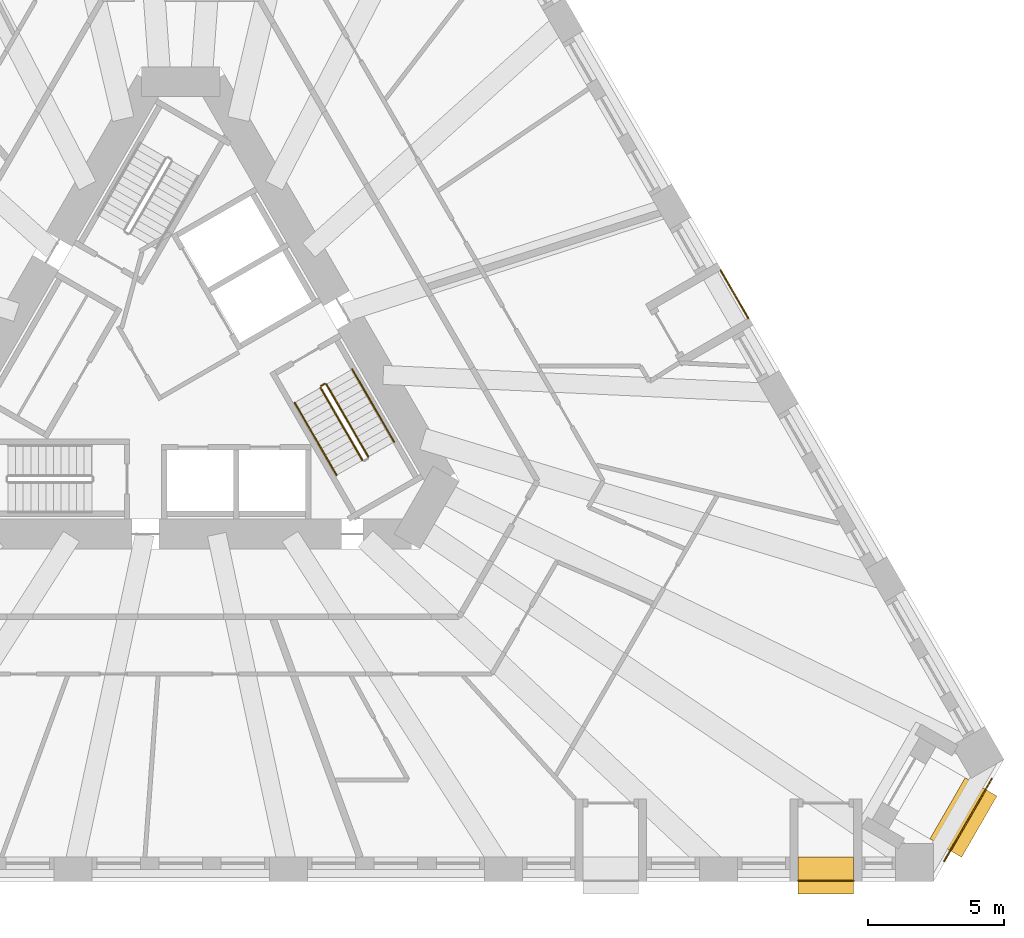
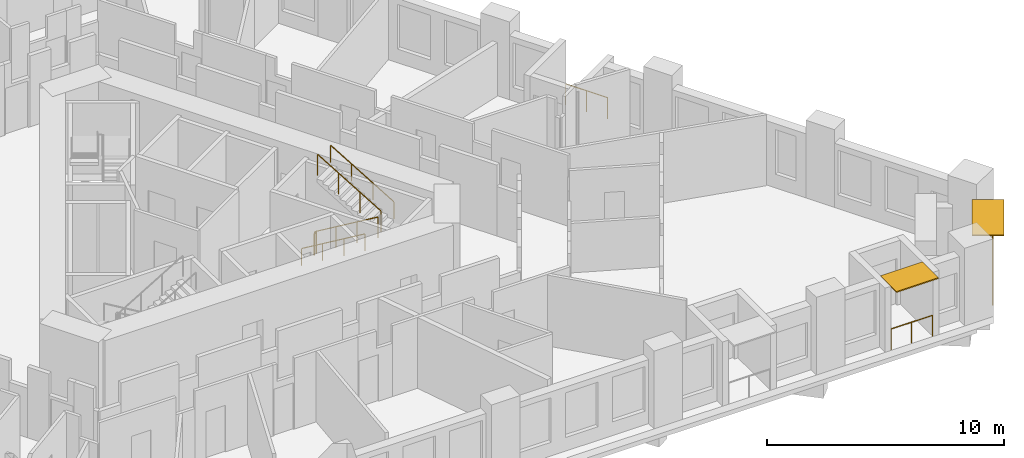
# One storey, part 13 of 14: 8 railings, 2 shading devices.
"""IFC4 building model written with IfcOpenShell, lengths in metres."""

from ifc_helpers import new_model, si_unit, direction, frame, origin, origin_2d, place, context, subcontext, project, spatial, rectangle, circle, extrude, material, layer, layer_set, type_object, element, save


model = new_model("IFC4")

# Units and contexts
model_context = context("Model", 3, precision=1e-05, world=origin(), true_north=direction((0.0, 1.0)))
body_context = subcontext(model_context, "Body", "Model", "MODEL_VIEW")
ifc_project = project(units=[si_unit("LENGTHUNIT", "METRE"), si_unit("AREAUNIT", "SQUARE_METRE"), si_unit("VOLUMEUNIT", "CUBIC_METRE"), si_unit("PLANEANGLEUNIT", "RADIAN"), si_unit("MASSUNIT", "GRAM", prefix="KILO")], contexts=[model_context])

# Site, building, storey
site_placement = place(None, origin())
site = spatial("IfcSite", under=ifc_project, at=site_placement, CompositionType="ELEMENT")
building_placement = place(site_placement, origin())
building = spatial("IfcBuilding", under=site, at=building_placement, Name="Tramontana Tower", CompositionType="ELEMENT")
storey_placement = place(building_placement, frame((0.0, 0.0, 38.0)))
storey = spatial("IfcBuildingStorey", under=building, at=storey_placement, Name="L07", CompositionType="ELEMENT", Elevation=38.0)

# Railings
ifc_material_1 = material(Name="Laminated glass balustrade", Category="glass")
railing_type_1 = type_object("IfcRailingType", Name="GD1 Loggia glass balustrade 1100", PredefinedType="BALUSTRADE", material=ifc_material_1)
railing_1_placement = place(storey_placement, frame((22.734130859375, -18.969970703125, 0.0)))
element("IfcRailing", 1, at=railing_1_placement, inside=storey, type_object=railing_type_1, Name="Loggia balustrade L07 G0S1.19", PredefinedType="BALUSTRADE", context=body_context, shape_type="SweptSolid", body=[
    extrude(circle(Radius=0.02392578125, at=origin_2d()), frame((0.0, 0.0, 1.076171875), z_axis=(1.0, 0.0, 0.0), x_axis=(0.0, 1.0, 0.0)), (0.0, 0.0, 1.0), 2.039306640625),
    extrude(circle(Radius=0.02099609375, at=origin_2d()), origin(), (0.0, 0.0, 1.0), 1.052001953125),
    extrude(circle(Radius=0.02099609375, at=origin_2d()), frame((1.01953125, 0.0, 0.0)), (0.0, 0.0, 1.0), 1.052001953125),
    extrude(circle(Radius=0.02099609375, at=origin_2d()), frame((2.039306640625, 0.0, 0.0)), (0.0, 0.0, 1.0), 1.052001953125),
])
railing_2_placement = place(storey_placement, frame((20.897216796875, 1.744873046875, 0.0)))
element("IfcRailing", 2, at=railing_2_placement, inside=storey, type_object=railing_type_1, Name="Loggia balustrade L07 G0S2.7", PredefinedType="BALUSTRADE", context=body_context, shape_type="SweptSolid", body=[
    extrude(circle(Radius=0.02392578125, at=origin_2d()), frame((0.0, 0.0, 1.076171875), z_axis=(-0.499950448838, 0.866054010271, 0.0), x_axis=(-0.866054010271, -0.499950448838, 0.0)), (0.0, 0.0, 1.0), 2.039306640625),
    extrude(circle(Radius=0.02099609375, at=origin_2d()), origin(), (0.0, 0.0, 1.0), 1.052001953125),
    extrude(circle(Radius=0.02099609375, at=origin_2d()), frame((-0.509765625, 0.883056640625, 0.0)), (0.0, 0.0, 1.0), 1.052001953125),
    extrude(circle(Radius=0.02099609375, at=origin_2d()), frame((-1.01953125, 1.76611328125, 0.0)), (0.0, 0.0, 1.0), 1.052001953125),
])
railing_3_placement = place(storey_placement, frame((29.86083984375, -15.219482421875, 0.0)))
element("IfcRailing", 3, at=railing_3_placement, inside=storey, type_object=railing_type_1, Name="Corner loggia balustrade L07 K02", PredefinedType="BALUSTRADE", context=body_context, shape_type="SweptSolid", body=[
    extrude(circle(Radius=0.02392578125, at=origin_2d()), frame((0.0, 0.0, 1.076171875), z_axis=(-0.500010275428, -0.866019471182, 0.0), x_axis=(0.866019471182, -0.500010275428, 0.0)), (0.0, 0.0, 1.0), 3.5),
    extrude(circle(Radius=0.02099609375, at=origin_2d()), origin(), (0.0, 0.0, 1.0), 1.052001953125),
    extrude(circle(Radius=0.02099609375, at=origin_2d()), frame((-0.583251953125, -1.01025390625, 0.0)), (0.0, 0.0, 1.0), 1.052001953125),
    extrude(circle(Radius=0.02099609375, at=origin_2d()), frame((-1.166748046875, -2.020751953125, 0.0)), (0.0, 0.0, 1.0), 1.052001953125),
    extrude(circle(Radius=0.02099609375, at=origin_2d()), frame((-1.75, -3.031005859375, 0.0)), (0.0, 0.0, 1.0), 1.052001953125),
])

# Shading devices
ifc_material_2 = material(Name="Precast concrete 60 MPa", Category="concrete")
ifc_layer_1 = layer(ifc_material_2, 0.06005859375)
ifc_layer_set_1 = layer_set([ifc_layer_1], Name="SS1 Stone sunshade blade 60")
shading_device_type_1 = type_object("IfcShadingDeviceType", Name="SS1 Stone sunshade blade 60", PredefinedType="USERDEFINED", material=ifc_layer_set_1)
shading_device_1_placement = place(storey_placement, frame((23.75390625, -18.77490234375, 3.239990234375), z_axis=(0.0, 0.0, 1.0), x_axis=(1.0, 0.0, 0.0)))
element("IfcShadingDevice", 4, at=shading_device_1_placement, inside=storey, type_object=shading_device_type_1, Name="Sunshade L07 G0S1.19", ObjectType="SUNSHADE", PredefinedType="USERDEFINED", context=body_context, shape_type="SweptSolid", body=[
    extrude(rectangle(XDim=2.039306640625, YDim=1.35009765625, at=origin_2d()), origin(), (0.0, 0.0, 1.0), 0.06005859375),
])
ifc_material_3 = material(Name="Precast concrete 60 MPa", Category="concrete")
ifc_layer_2 = layer(ifc_material_3, 0.070068359375)
ifc_layer_set_2 = layer_set([ifc_layer_2], Name="SS2 Stone sunshade blade 70")
shading_device_type_2 = type_object("IfcShadingDeviceType", Name="SS2 Stone sunshade blade 70", PredefinedType="USERDEFINED", material=ifc_layer_set_2)
shading_device_2_placement = place(storey_placement, frame((28.81689453125, -16.637451171875, 3.22998046875), z_axis=(0.0, 0.0, 1.0), x_axis=(-0.5, -0.866025403784, 0.0)))
element("IfcShadingDevice", 5, at=shading_device_2_placement, inside=storey, type_object=shading_device_type_2, Name="Corner sunshade L07 K02", ObjectType="SUNSHADE", PredefinedType="USERDEFINED", context=body_context, shape_type="SweptSolid", body=[
    extrude(rectangle(XDim=2.60009765625, YDim=1.35009765625, at=origin_2d()), origin(), (0.0, 0.0, 1.0), 0.070068359375),
])

# Railings
ifc_material_4 = material(Name="Painted steel", Category="steel")
railing_type_2 = type_object("IfcRailingType", Name="STAIR GUARD 1100", PredefinedType="GUARDRAIL", material=ifc_material_4)
railing_4_placement = place(storey_placement, frame((5.1474609375, -0.815673828125, 0.166748046875)))
element("IfcRailing", 6, at=railing_4_placement, inside=storey, type_object=railing_type_2, Name="L07 ST3 stair guard 1", PredefinedType="GUARDRAIL", context=body_context, shape_type="SweptSolid", body=[
    extrude(circle(Radius=0.02392578125, at=origin_2d()), frame((0.0, 0.0, 1.076171875), z_axis=(0.429671193721, -0.744159446956, 0.511477646425), x_axis=(0.866010015463, 0.500026652407, 0.0)), (0.0, 0.0, 1.0), 3.584228515625),
    extrude(circle(Radius=0.02099609375, at=origin_2d()), origin(), (0.0, 0.0, 1.0), 1.052001953125),
    extrude(circle(Radius=0.02099609375, at=origin_2d()), frame((0.513427734375, -0.88916015625, 0.611083984375)), (0.0, 0.0, 1.0), 1.052001953125),
    extrude(circle(Radius=0.02099609375, at=origin_2d()), frame((1.026611328125, -1.778076171875, 1.22216796875)), (0.0, 0.0, 1.0), 1.052001953125),
    extrude(circle(Radius=0.02099609375, at=origin_2d()), frame((1.5400390625, -2.667236328125, 1.833251953125)), (0.0, 0.0, 1.0), 1.052001953125),
])
railing_5_placement = place(storey_placement, frame((6.90380859375, -3.35791015625, 2.166748046875)))
element("IfcRailing", 7, at=railing_5_placement, inside=storey, type_object=railing_type_2, Name="L07 ST3 stair guard 2", PredefinedType="GUARDRAIL", context=body_context, shape_type="SweptSolid", body=[
    extrude(circle(Radius=0.02392578125, at=origin_2d()), frame((0.0, 0.0, 1.076171875), z_axis=(-0.429615651263, 0.74418122563, 0.511492615401), x_axis=(-0.866044340336, -0.499967199496, 0.0)), (0.0, 0.0, 1.0), 3.584228515625),
    extrude(circle(Radius=0.02099609375, at=origin_2d()), origin(), (0.0, 0.0, 1.0), 1.052001953125),
    extrude(circle(Radius=0.02099609375, at=origin_2d()), frame((-0.51318359375, 0.88916015625, 0.611083984375)), (0.0, 0.0, 1.0), 1.052001953125),
    extrude(circle(Radius=0.02099609375, at=origin_2d()), frame((-1.026611328125, 1.778076171875, 1.22216796875)), (0.0, 0.0, 1.0), 1.052001953125),
    extrude(circle(Radius=0.02099609375, at=origin_2d()), frame((-1.539794921875, 2.667236328125, 1.833251953125)), (0.0, 0.0, 1.0), 1.052001953125),
])
railing_6_placement = place(storey_placement, frame((5.165771484375, -0.747314453125, 0.0)))
element("IfcRailing", 8, at=railing_6_placement, inside=storey, type_object=railing_type_2, Name="L07 ST3 stair guard 4", PredefinedType="GUARDRAIL", context=body_context, shape_type="SweptSolid", body=[
    extrude(circle(Radius=0.02392578125, at=origin_2d()), frame((0.0, 0.0, 1.076171875), z_axis=(0.866131372301, 0.499816412211, 0.0), x_axis=(-0.499816412211, 0.866131372301, 0.0)), (0.0, 0.0, 1.0), 0.14990234375),
    extrude(circle(Radius=0.02099609375, at=origin_2d()), origin(), (0.0, 0.0, 1.0), 1.052001953125),
    extrude(circle(Radius=0.02099609375, at=origin_2d()), frame((0.1298828125, 0.074951171875, 0.0)), (0.0, 0.0, 1.0), 1.052001953125),
])
ifc_material_5 = material(Name="Painted steel", Category="steel")
railing_type_3 = type_object("IfcRailingType", Name="STAIR HANDRAIL 900", PredefinedType="HANDRAIL", material=ifc_material_5)
railing_7_placement = place(storey_placement, frame((4.19482421875, -1.365478515625, 0.166748046875)))
element("IfcRailing", 9, at=railing_7_placement, inside=storey, type_object=railing_type_3, Name="L07 ST3 stair handrail 1", PredefinedType="HANDRAIL", context=body_context, shape_type="SweptSolid", body=[
    extrude(circle(Radius=0.02392578125, at=origin_2d()), frame((0.0, 0.0, 0.8759765625), z_axis=(0.429649414936, -0.744189839504, 0.511451721109), x_axis=(0.866029832698, 0.499992328818, 0.0)), (0.0, 0.0, 1.0), 3.58447265625),
    extrude(circle(Radius=0.02099609375, at=origin_2d()), origin(), (0.0, 0.0, 1.0), 0.851806640625),
    extrude(circle(Radius=0.02099609375, at=origin_2d()), frame((0.513427734375, -0.88916015625, 0.611083984375)), (0.0, 0.0, 1.0), 0.851806640625),
    extrude(circle(Radius=0.02099609375, at=origin_2d()), frame((1.026611328125, -1.7783203125, 1.22216796875)), (0.0, 0.0, 1.0), 0.851806640625),
    extrude(circle(Radius=0.02099609375, at=origin_2d()), frame((1.5400390625, -2.66748046875, 1.833251953125)), (0.0, 0.0, 1.0), 0.851806640625),
])
railing_8_placement = place(storey_placement, frame((7.8564453125, -2.807861328125, 2.166748046875)))
element("IfcRailing", 10, at=railing_8_placement, inside=storey, type_object=railing_type_3, Name="L07 ST3 stair handrail 2", PredefinedType="HANDRAIL", context=body_context, shape_type="SweptSolid", body=[
    extrude(circle(Radius=0.02392578125, at=origin_2d()), frame((0.0, 0.0, 0.8759765625), z_axis=(-0.429615651263, 0.74418122563, 0.511492615401), x_axis=(-0.866044340336, -0.499967199496, 0.0)), (0.0, 0.0, 1.0), 3.584228515625),
    extrude(circle(Radius=0.02099609375, at=origin_2d()), origin(), (0.0, 0.0, 1.0), 0.851806640625),
    extrude(circle(Radius=0.02099609375, at=origin_2d()), frame((-0.51318359375, 0.88916015625, 0.611083984375)), (0.0, 0.0, 1.0), 0.851806640625),
    extrude(circle(Radius=0.02099609375, at=origin_2d()), frame((-1.026611328125, 1.778076171875, 1.22216796875)), (0.0, 0.0, 1.0), 0.851806640625),
    extrude(circle(Radius=0.02099609375, at=origin_2d()), frame((-1.539794921875, 2.667236328125, 1.833251953125)), (0.0, 0.0, 1.0), 0.851806640625),
])

save(model, "model.ifc")
